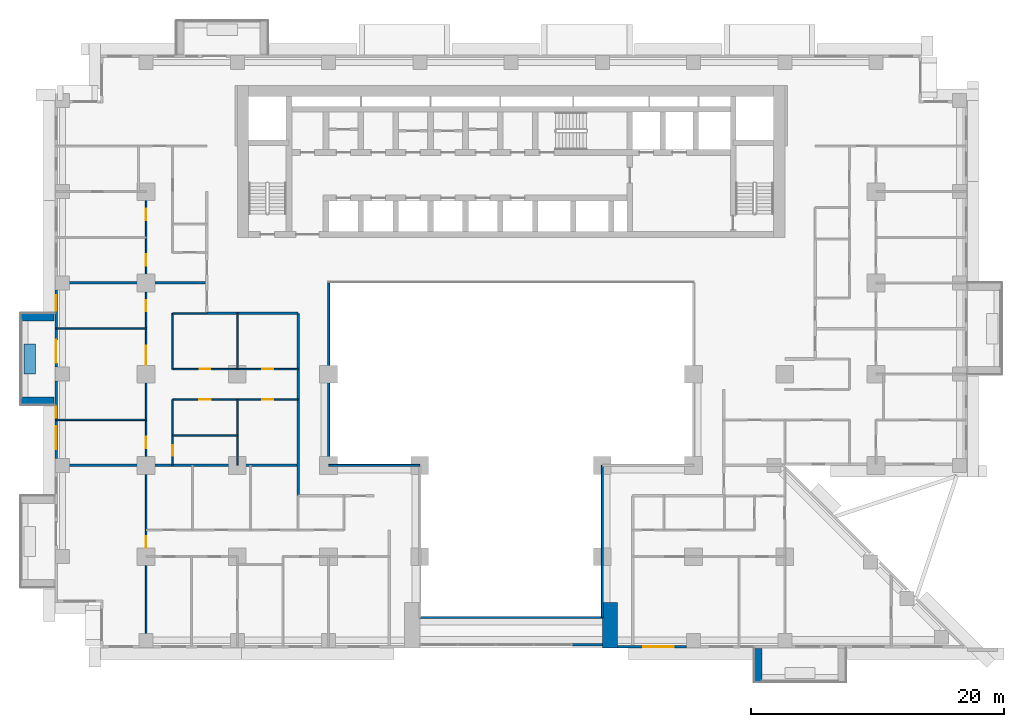
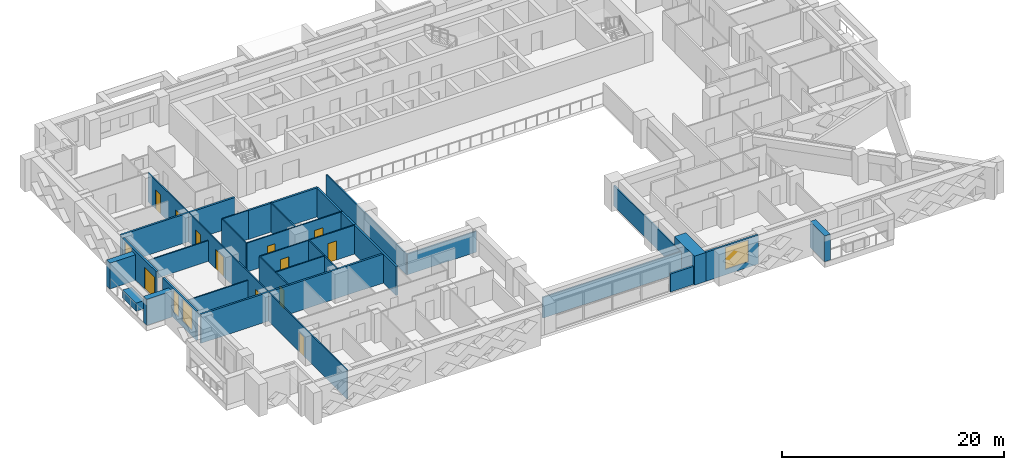
# One storey, part 7 of 16: 28 walls, 12 doors, 4 windows, 16 openings.
"""IFC4 building model written with IfcOpenShell, lengths in metres."""

from ifc_helpers import new_model, si_unit, direction, frame, frame_2d, origin, place, context, subcontext, project, spatial, rectangle, extrude, material, layer, layer_set, type_object, element, fill, save


model = new_model("IFC4")

# Units and contexts
model_context = context("Model", 3, precision=1e-05, world=origin(), true_north=direction((0.0, 1.0)))
body_context = subcontext(model_context, "Body", "Model", "MODEL_VIEW")
ifc_project = project(units=[si_unit("LENGTHUNIT", "METRE"), si_unit("AREAUNIT", "SQUARE_METRE"), si_unit("VOLUMEUNIT", "CUBIC_METRE"), si_unit("PLANEANGLEUNIT", "RADIAN"), si_unit("MASSUNIT", "GRAM", prefix="KILO")], contexts=[model_context])

# Site, building, storey
site_placement = place(None, origin())
site = spatial("IfcSite", under=ifc_project, at=site_placement, CompositionType="ELEMENT")
building_placement = place(site_placement, origin())
building = spatial("IfcBuilding", under=site, at=building_placement, Name="Saffron Iwan Residences", CompositionType="ELEMENT")
storey_placement = place(building_placement, frame((0.0, 0.0, 30.5)))
storey = spatial("IfcBuildingStorey", under=building, at=storey_placement, Name="L06", CompositionType="ELEMENT", Elevation=30.5)

# Walls
ifc_material_1 = material(Name="Fire-rated glazing", Category="glass")
ifc_layer_1 = layer(ifc_material_1, 0.14990234375)
ifc_layer_set_1 = layer_set([ifc_layer_1], Name="Fire-rated glazing")
wall_type_1 = type_object("IfcWallType", Name="Atrium glazed screen 150", PredefinedType="SOLIDWALL", material=ifc_layer_set_1)
wall_1_placement = place(storey_placement, frame((43.199951171875, 36.0, 0.0), z_axis=(0.0, 0.0, 1.0), x_axis=(1.0, 0.0, 0.0)))
element("IfcWall", 1, at=wall_1_placement, inside=storey, type_object=wall_type_1, Name="W-L06-SCREEN-h36-43.2", PredefinedType="SOLIDWALL", context=body_context, shape_type="SweptSolid", body=[
    extrude(rectangle(XDim=14.400146484375, YDim=0.14990234375, at=frame_2d((7.2001953125, 0.0))), origin(), (0.0, 0.0, 1.0), 2.280029296875),
])
wall_2_placement = place(storey_placement, frame((36.0, 48.0, 0.0), z_axis=(0.0, 0.0, 1.0), x_axis=(1.0, 0.0, 0.0)))
element("IfcWall", 2, at=wall_2_placement, inside=storey, type_object=wall_type_1, Name="W-L06-SCREEN-h48-36", PredefinedType="SOLIDWALL", context=body_context, shape_type="SweptSolid", body=[
    extrude(rectangle(XDim=7.199951171875, YDim=0.14990234375, at=frame_2d((3.60009765625, 0.0))), origin(), (0.0, 0.0, 1.0), 2.280029296875),
])
wall_3_placement = place(storey_placement, frame((36.0, 48.0, 0.0), z_axis=(0.0, 0.0, 1.0), x_axis=(0.0, 1.0, 0.0)))
element("IfcWall", 3, at=wall_3_placement, inside=storey, type_object=wall_type_1, Name="W-L06-SCREEN-v36-48", PredefinedType="SOLIDWALL", context=body_context, shape_type="SweptSolid", body=[
    extrude(rectangle(XDim=14.39990234375, YDim=0.14990234375, at=frame_2d((7.199951171875, 0.0))), origin(), (0.0, 0.0, 1.0), 2.280029296875),
])
wall_4_placement = place(storey_placement, frame((57.60009765625, 36.0, 0.0), z_axis=(0.0, 0.0, 1.0), x_axis=(0.0, 1.0, 0.0)))
element("IfcWall", 4, at=wall_4_placement, inside=storey, type_object=wall_type_1, Name="W-L06-SCREEN-v57.6-36", PredefinedType="SOLIDWALL", context=body_context, shape_type="SweptSolid", body=[
    extrude(rectangle(XDim=12.0, YDim=0.14990234375, at=frame_2d((6.0, 0.0))), origin(), (0.0, 0.0, 1.0), 2.280029296875),
])
ifc_material_2 = material(Name="Concrete C50/60 white painted", Category="concrete")
ifc_layer_2 = layer(ifc_material_2, 0.60009765625)
ifc_layer_set_2 = layer_set([ifc_layer_2], Name="Concrete C50/60 white painted")
wall_type_2 = type_object("IfcWallType", Name="BALCONY FIN 600", PredefinedType="SOLIDWALL", material=ifc_layer_set_2)
for number, where, z_axis, x_axis, name in (
    (5, (14.35009765625, 59.699951171875, 0.0), (0.0, 0.0, 1.0), (-1.0, 0.0, 0.0), "Balcony fin L06 F8-1a"),
    (6, (14.35009765625, 53.10009765625, 0.0), (0.0, 0.0, 1.0), (-1.0, 0.0, 0.0), "Balcony fin L06 F8-1b"),
    (7, (69.89990234375, 33.550048828125, 0.0), (0.0, 0.0, 1.0), (0.0, -1.0, 0.0), "Balcony fin L06 11-1a"),
):
    element("IfcWall", number, at=place(storey_placement, frame(where, z_axis=z_axis, x_axis=x_axis)), inside=storey, type_object=wall_type_2, Name=name, PredefinedType="SOLIDWALL", context=body_context, shape_type="SweptSolid", body=[
        extrude(rectangle(XDim=2.650146484375, YDim=0.60009765625, at=frame_2d((1.3251953125, 0.0))), origin(), (0.0, 0.0, 1.0), 2.85009765625),
    ])
ifc_material_3 = material(Name="Concrete C35/45 white painted", Category="concrete")
ifc_layer_3 = layer(ifc_material_3, 0.14990234375)
ifc_layer_set_3 = layer_set([ifc_layer_3], Name="Concrete C35/45 white painted")
wall_type_3 = type_object("IfcWallType", Name="BALCONY PLANTER", PredefinedType="SOLIDWALL", material=ifc_layer_set_3)
wall_5_placement = place(storey_placement, frame((12.425048828125, 57.60009765625, 0.0), z_axis=(0.0, 0.0, 1.0), x_axis=(0.0, -1.0, 0.0)))
element("IfcWall", 8, at=wall_5_placement, inside=storey, type_object=wall_type_3, Name="PLANTER L06 F8-1", PredefinedType="SOLIDWALL", context=body_context, shape_type="SweptSolid", body=[
    extrude(rectangle(XDim=2.400146484375, YDim=0.89990234375, at=frame_2d((1.2001953125, 0.0))), origin(), (0.0, 0.0, 1.0), 0.89990234375),
])

# Wall, openings, door, window
ifc_material_4 = material(Name="Concrete C40/50", Category="concrete")
ifc_layer_4 = layer(ifc_material_4, 0.199951171875)
ifc_layer_set_4 = layer_set([ifc_layer_4], Name="Concrete C40/50")
wall_type_4 = type_object("IfcWallType", Name="EXTERNAL WALL 200", PredefinedType="SOLIDWALL", material=ifc_layer_set_4)
wall_6_placement = place(storey_placement, frame((14.5, 61.85009765625, 0.0), z_axis=(0.0, 0.0, 1.0), x_axis=(0.0, -1.0, 0.0)))
wall_6 = element("IfcWall", 9, at=wall_6_placement, inside=storey, type_object=wall_type_4, Name="External wall L06 F8.2", PredefinedType="SOLIDWALL", context=body_context, shape_type="SweptSolid", body=[
    extrude(rectangle(XDim=6.10009765625, YDim=0.199951171875, at=frame_2d((3.050048828125, 0.0))), origin(), (0.0, 0.0, 1.0), 3.179931640625),
])
opening_1_placement = place(wall_6_placement, frame((3.949951171875, 0.0, 0.0)))
opening_1 = element("IfcOpeningElement", 10, at=opening_1_placement, cuts=wall_6, Name="Opening BD1", PredefinedType="OPENING", context=body_context, shape_type="SweptSolid", body=[
    extrude(rectangle(XDim=1.800048828125, YDim=2.39990234375, at=frame_2d((0.89990234375, 1.199951171875))), frame((0.0, 0.10986328125, 0.0), z_axis=(0.0, -1.0, 0.0), x_axis=(1.0, 0.0, 0.0)), (0.0, 0.0, 1.0), 0.219970703125),
])
opening_2_placement = place(wall_6_placement, frame((0.425048828125, 0.0, 0.60009765625)))
opening_2 = element("IfcOpeningElement", 11, at=opening_2_placement, cuts=wall_6, Name="Opening W3", PredefinedType="OPENING", context=body_context, shape_type="SweptSolid", body=[
    extrude(rectangle(XDim=1.199951171875, YDim=2.39990234375, at=frame_2d((0.60009765625, 1.199951171875))), frame((0.0, 0.10986328125, 0.0), z_axis=(0.0, -1.0, 0.0), x_axis=(1.0, 0.0, 0.0)), (0.0, 0.0, 1.0), 0.219970703125),
])
ifc_material_5 = material(Name="Clear glass, laminated double glazed", Category="glass")
door_type_1 = type_object("IfcDoorType", Name="BALCONY DOOR 1800 x 2400", OperationType="DOUBLE_DOOR_SLIDING", PredefinedType="DOOR", material=ifc_material_5)
door_1_placement = place(opening_1_placement, origin())
door_1 = element("IfcDoor", 12, at=door_1_placement, inside=storey, type_object=door_type_1, Name="Balcony door L06 F8.0", OperationType="DOUBLE_DOOR_SLIDING", OverallHeight=2.39990234375, OverallWidth=1.800048828125, PredefinedType="DOOR", context=body_context, shape_type="SweptSolid", body=[
    extrude(rectangle(XDim=1.800048828125, YDim=2.39990234375, at=frame_2d((0.89990234375, 1.199951171875))), frame((0.0, 0.02490234375, 0.0), z_axis=(0.0, -1.0, 0.0), x_axis=(1.0, 0.0, 0.0)), (0.0, 0.0, 1.0), 0.050048828125),
])
fill(opening_1, door_1)
window_type_1 = type_object("IfcWindowType", Name="WINDOW 1200 x 2400", PartitioningType="SINGLE_PANEL", PredefinedType="WINDOW", material=ifc_material_5)
window_1_placement = place(opening_2_placement, origin())
window_1 = element("IfcWindow", 13, at=window_1_placement, inside=storey, type_object=window_type_1, Name="Window L06 F8.1", OverallHeight=2.39990234375, OverallWidth=1.199951171875, PartitioningType="SINGLE_PANEL", PredefinedType="WINDOW", context=body_context, shape_type="SweptSolid", body=[
    extrude(rectangle(XDim=1.199951171875, YDim=2.39990234375, at=frame_2d((0.60009765625, 1.199951171875))), frame((0.0, 0.030029296875, 0.0), z_axis=(0.0, -1.0, 0.0), x_axis=(1.0, 0.0, 0.0)), (0.0, 0.0, 1.0), 0.06005859375),
])
fill(opening_2, window_1)

# Wall, openings, windows
wall_7_placement = place(storey_placement, frame((14.5, 54.64990234375, 0.0), z_axis=(0.0, 0.0, 1.0), x_axis=(0.0, -1.0, 0.0)))
wall_7 = element("IfcWall", 14, at=wall_7_placement, inside=storey, type_object=wall_type_4, Name="External wall L06 F8.3", PredefinedType="SOLIDWALL", context=body_context, shape_type="SweptSolid", body=[
    extrude(rectangle(XDim=6.099853515625, YDim=0.199951171875, at=frame_2d((3.0498046875, 0.0))), origin(), (0.0, 0.0, 1.0), 3.179931640625),
])
opening_3_placement = place(wall_7_placement, frame((3.574951171875, 0.0, 0.60009765625)))
opening_3 = element("IfcOpeningElement", 15, at=opening_3_placement, cuts=wall_7, Name="Opening W8", PredefinedType="OPENING", context=body_context, shape_type="SweptSolid", body=[
    extrude(rectangle(XDim=1.800048828125, YDim=2.39990234375, at=frame_2d((0.89990234375, 1.199951171875))), frame((0.0, 0.10986328125, 0.0), z_axis=(0.0, -1.0, 0.0), x_axis=(1.0, 0.0, 0.0)), (0.0, 0.0, 1.0), 0.219970703125),
])
opening_4_placement = place(wall_7_placement, frame((2.0, 0.0, 0.60009765625)))
opening_4 = element("IfcOpeningElement", 16, at=opening_4_placement, cuts=wall_7, Name="Opening W10", PredefinedType="OPENING", context=body_context, shape_type="SweptSolid", body=[
    extrude(rectangle(XDim=0.89990234375, YDim=2.39990234375, at=frame_2d((0.449951171875, 1.199951171875))), frame((0.0, 0.10986328125, 0.0), z_axis=(0.0, -1.0, 0.0), x_axis=(1.0, 0.0, 0.0)), (0.0, 0.0, 1.0), 0.219970703125),
])
window_type_2 = type_object("IfcWindowType", Name="WINDOW 1800 x 2400", PartitioningType="DOUBLE_PANEL_VERTICAL", PredefinedType="WINDOW", material=ifc_material_5)
window_2_placement = place(opening_3_placement, origin())
window_2 = element("IfcWindow", 17, at=window_2_placement, inside=storey, type_object=window_type_2, Name="Window L06 F8.0", OverallHeight=2.39990234375, OverallWidth=1.800048828125, PartitioningType="DOUBLE_PANEL_VERTICAL", PredefinedType="WINDOW", context=body_context, shape_type="SweptSolid", body=[
    extrude(rectangle(XDim=1.800048828125, YDim=2.39990234375, at=frame_2d((0.89990234375, 1.199951171875))), frame((0.0, 0.030029296875, 0.0), z_axis=(0.0, -1.0, 0.0), x_axis=(1.0, 0.0, 0.0)), (0.0, 0.0, 1.0), 0.06005859375),
])
fill(opening_3, window_2)
window_type_3 = type_object("IfcWindowType", Name="WINDOW 900 x 2400", PartitioningType="SINGLE_PANEL", PredefinedType="WINDOW", material=ifc_material_5)
window_3_placement = place(opening_4_placement, origin())
window_3 = element("IfcWindow", 18, at=window_3_placement, inside=storey, type_object=window_type_3, Name="Window L06 F8.1", OverallHeight=2.39990234375, OverallWidth=0.89990234375, PartitioningType="SINGLE_PANEL", PredefinedType="WINDOW", context=body_context, shape_type="SweptSolid", body=[
    extrude(rectangle(XDim=0.89990234375, YDim=2.39990234375, at=frame_2d((0.449951171875, 1.199951171875))), frame((0.0, 0.030029296875, 0.0), z_axis=(0.0, -1.0, 0.0), x_axis=(1.0, 0.0, 0.0)), (0.0, 0.0, 1.0), 0.06005859375),
])
fill(opening_4, window_3)

# Wall, opening, window
wall_8_placement = place(storey_placement, frame((58.800048828125, 33.699951171875, 0.0), z_axis=(0.0, 0.0, 1.0), x_axis=(1.0, 0.0, 0.0)))
wall_8 = element("IfcWall", 19, at=wall_8_placement, inside=storey, type_object=wall_type_4, Name="External wall L06 F11.4", PredefinedType="SOLIDWALL", context=body_context, shape_type="SweptSolid", body=[
    extrude(rectangle(XDim=5.449951171875, YDim=0.199951171875, at=frame_2d((2.72509765625, 0.0))), origin(), (0.0, 0.0, 1.0), 3.179931640625),
])
opening_5_placement = place(wall_8_placement, frame((2.02490234375, 0.0, 0.60009765625)))
opening_5 = element("IfcOpeningElement", 20, at=opening_5_placement, cuts=wall_8, Name="Opening W1", PredefinedType="OPENING", context=body_context, shape_type="SweptSolid", body=[
    extrude(rectangle(XDim=2.39990234375, YDim=2.39990234375, at=frame_2d((1.199951171875, 1.199951171875))), frame((0.0, 0.10986328125, 0.0), z_axis=(0.0, -1.0, 0.0), x_axis=(1.0, 0.0, 0.0)), (0.0, 0.0, 1.0), 0.219970703125),
])
window_type_4 = type_object("IfcWindowType", Name="WINDOW 2400 x 2400", PartitioningType="DOUBLE_PANEL_VERTICAL", PredefinedType="WINDOW", material=ifc_material_5)
window_4_placement = place(opening_5_placement, origin())
window_4 = element("IfcWindow", 21, at=window_4_placement, inside=storey, type_object=window_type_4, Name="Window L06 F11.0", OverallHeight=2.39990234375, OverallWidth=2.39990234375, PartitioningType="DOUBLE_PANEL_VERTICAL", PredefinedType="WINDOW", context=body_context, shape_type="SweptSolid", body=[
    extrude(rectangle(XDim=2.39990234375, YDim=2.39990234375, at=frame_2d((1.199951171875, 1.199951171875))), frame((0.0, 0.030029296875, 0.0), z_axis=(0.0, -1.0, 0.0), x_axis=(1.0, 0.0, 0.0)), (0.0, 0.0, 1.0), 0.06005859375),
])
fill(opening_5, window_4)

# Walls
wall_9_placement = place(storey_placement, frame((55.199951171875, 33.85009765625, 0.0), z_axis=(0.0, 0.0, 1.0), x_axis=(1.0, 0.0, 0.0)))
element("IfcWall", 22, at=wall_9_placement, inside=storey, type_object=wall_type_4, Name="External wall infill CWB-L06-0", PredefinedType="SOLIDWALL", context=body_context, shape_type="SweptSolid", body=[
    extrude(rectangle(XDim=2.400146484375, YDim=0.199951171875, at=frame_2d((1.2001953125, 0.0))), origin(), (0.0, 0.0, 1.0), 1.97998046875),
])
ifc_material_6 = material(Name="Fire-rated gypsum board wall")
ifc_layer_5 = layer(ifc_material_6, 0.199951171875)
ifc_layer_set_5 = layer_set([ifc_layer_5], Name="Fire-rated gypsum board wall")
wall_type_5 = type_object("IfcWallType", Name="Flat demising wall 200", PredefinedType="SOLIDWALL", material=ifc_layer_set_5)
wall_10_placement = place(storey_placement, frame((14.52490234375, 48.0, 0.0), z_axis=(0.0, 0.0, 1.0), x_axis=(1.0, 0.0, 0.0)))
element("IfcWall", 23, at=wall_10_placement, inside=storey, type_object=wall_type_5, Name="W-L06-DEMISE-h48-14.525", PredefinedType="SOLIDWALL", context=body_context, shape_type="SweptSolid", body=[
    extrude(rectangle(XDim=19.0751953125, YDim=0.199951171875, at=frame_2d((9.53759765625, 0.0))), origin(), (0.0, 0.0, 1.0), 3.179931640625),
])
wall_11_placement = place(storey_placement, frame((14.52490234375, 62.39990234375, 0.0), z_axis=(0.0, 0.0, 1.0), x_axis=(1.0, 0.0, 0.0)))
element("IfcWall", 24, at=wall_11_placement, inside=storey, type_object=wall_type_5, Name="W-L06-DEMISE-h62.4-14.525", PredefinedType="SOLIDWALL", context=body_context, shape_type="SweptSolid", body=[
    extrude(rectangle(XDim=11.875, YDim=0.199951171875, at=frame_2d((5.9375, 0.0))), origin(), (0.0, 0.0, 1.0), 3.179931640625),
])
ifc_material_7 = material(Name="Gypsum board partition")
ifc_layer_6 = layer(ifc_material_7, 0.1201171875)
ifc_layer_set_6 = layer_set([ifc_layer_6], Name="Gypsum board partition")
wall_type_6 = type_object("IfcWallType", Name="Flat partition 120", PredefinedType="PARTITIONING", material=ifc_layer_set_6)
wall_12_placement = place(storey_placement, frame((23.699951171875, 50.35009765625, 0.0), z_axis=(0.0, 0.0, 1.0), x_axis=(1.0, 0.0, 0.0)))
element("IfcWall", 25, at=wall_12_placement, inside=storey, type_object=wall_type_6, Name="W-L06-PART-h50.35-23.7", PredefinedType="PARTITIONING", context=body_context, shape_type="SweptSolid", body=[
    extrude(rectangle(XDim=5.10009765625, YDim=0.1201171875, at=frame_2d((2.550048828125, 0.0))), origin(), (0.0, 0.0, 1.0), 3.179931640625),
])
wall_13_placement = place(storey_placement, frame((14.52490234375, 51.60009765625, 0.0), z_axis=(0.0, 0.0, 1.0), x_axis=(1.0, 0.0, 0.0)))
element("IfcWall", 26, at=wall_13_placement, inside=storey, type_object=wall_type_6, Name="W-L06-PART-h51.6-14.525", PredefinedType="PARTITIONING", context=body_context, shape_type="SweptSolid", body=[
    extrude(rectangle(XDim=7.0751953125, YDim=0.1201171875, at=frame_2d((3.53759765625, 0.0))), origin(), (0.0, 0.0, 1.0), 2.280029296875),
])

# Wall, openings, doors
wall_14_placement = place(storey_placement, frame((23.699951171875, 53.199951171875, 0.0), z_axis=(0.0, 0.0, 1.0), x_axis=(1.0, 0.0, 0.0)))
wall_14 = element("IfcWall", 27, at=wall_14_placement, inside=storey, type_object=wall_type_6, Name="W-L06-PART-h53.2-23.7", PredefinedType="PARTITIONING", context=body_context, shape_type="SweptSolid", body=[
    extrude(rectangle(XDim=9.900146484375, YDim=0.1201171875, at=frame_2d((4.9501953125, 0.0))), origin(), (0.0, 0.0, 1.0), 3.179931640625),
])
opening_6_placement = place(wall_14_placement, frame((2.10009765625, 0.0, 0.0)))
opening_6 = element("IfcOpeningElement", 28, at=opening_6_placement, cuts=wall_14, Name="Opening FD2", PredefinedType="OPENING", context=body_context, shape_type="SweptSolid", body=[
    extrude(rectangle(XDim=0.89990234375, YDim=2.10009765625, at=frame_2d((0.449951171875, 1.050048828125))), frame((0.0, 0.070068359375, 0.0), z_axis=(0.0, -1.0, 0.0), x_axis=(1.0, 0.0, 0.0)), (0.0, 0.0, 1.0), 0.14013671875),
])
opening_7_placement = place(wall_14_placement, frame((7.050048828125, 0.0, 0.0)))
opening_7 = element("IfcOpeningElement", 29, at=opening_7_placement, cuts=wall_14, Name="Opening FD2", PredefinedType="OPENING", context=body_context, shape_type="SweptSolid", body=[
    extrude(rectangle(XDim=0.89990234375, YDim=2.10009765625, at=frame_2d((0.449951171875, 1.050048828125))), frame((0.0, 0.070068359375, 0.0), z_axis=(0.0, -1.0, 0.0), x_axis=(1.0, 0.0, 0.0)), (0.0, 0.0, 1.0), 0.14013671875),
])
ifc_material_8 = material(Name="Timber door", Category="wood")
door_type_2 = type_object("IfcDoorType", Name="Flat door 900", OperationType="NOTDEFINED", PredefinedType="DOOR", material=ifc_material_8)
door_2_placement = place(opening_6_placement, origin())
door_2 = element("IfcDoor", 30, at=door_2_placement, inside=storey, type_object=door_type_2, Name="Door L06-017", OperationType="SINGLE_SWING_LEFT", OverallHeight=2.10009765625, OverallWidth=0.89990234375, PredefinedType="DOOR", context=body_context, shape_type="SweptSolid", body=[
    extrude(rectangle(XDim=0.89990234375, YDim=2.10009765625, at=frame_2d((0.449951171875, 1.050048828125))), frame((0.0, 0.02490234375, 0.0), z_axis=(0.0, -1.0, 0.0), x_axis=(1.0, 0.0, 0.0)), (0.0, 0.0, 1.0), 0.050048828125),
])
fill(opening_6, door_2)
door_3_placement = place(opening_7_placement, origin())
door_3 = element("IfcDoor", 31, at=door_3_placement, inside=storey, type_object=door_type_2, Name="Door L06-019", OperationType="SINGLE_SWING_RIGHT", OverallHeight=2.10009765625, OverallWidth=0.89990234375, PredefinedType="DOOR", context=body_context, shape_type="SweptSolid", body=[
    extrude(rectangle(XDim=0.89990234375, YDim=2.10009765625, at=frame_2d((0.449951171875, 1.050048828125))), frame((0.0, 0.02490234375, 0.0), z_axis=(0.0, -1.0, 0.0), x_axis=(1.0, 0.0, 0.0)), (0.0, 0.0, 1.0), 0.050048828125),
])
fill(opening_7, door_3)

wall_15_placement = place(storey_placement, frame((23.699951171875, 55.60009765625, 0.0), z_axis=(0.0, 0.0, 1.0), x_axis=(1.0, 0.0, 0.0)))
wall_15 = element("IfcWall", 32, at=wall_15_placement, inside=storey, type_object=wall_type_6, Name="W-L06-PART-h55.6-23.7", PredefinedType="PARTITIONING", context=body_context, shape_type="SweptSolid", body=[
    extrude(rectangle(XDim=9.900146484375, YDim=0.1201171875, at=frame_2d((4.9501953125, 0.0))), origin(), (0.0, 0.0, 1.0), 3.179931640625),
])
opening_8_placement = place(wall_15_placement, frame((2.14990234375, 0.0, 0.0)))
opening_8 = element("IfcOpeningElement", 33, at=opening_8_placement, cuts=wall_15, Name="Opening FD3", PredefinedType="OPENING", context=body_context, shape_type="SweptSolid", body=[
    extrude(rectangle(XDim=0.800048828125, YDim=2.10009765625, at=frame_2d((0.39990234375, 1.050048828125))), frame((0.0, 0.070068359375, 0.0), z_axis=(0.0, -1.0, 0.0), x_axis=(1.0, 0.0, 0.0)), (0.0, 0.0, 1.0), 0.14013671875),
])
opening_9_placement = place(wall_15_placement, frame((7.050048828125, 0.0, 0.0)))
opening_9 = element("IfcOpeningElement", 34, at=opening_9_placement, cuts=wall_15, Name="Opening FD2", PredefinedType="OPENING", context=body_context, shape_type="SweptSolid", body=[
    extrude(rectangle(XDim=0.89990234375, YDim=2.10009765625, at=frame_2d((0.449951171875, 1.050048828125))), frame((0.0, 0.070068359375, 0.0), z_axis=(0.0, -1.0, 0.0), x_axis=(1.0, 0.0, 0.0)), (0.0, 0.0, 1.0), 0.14013671875),
])
door_type_3 = type_object("IfcDoorType", Name="Bathroom door 800", OperationType="NOTDEFINED", PredefinedType="DOOR", material=ifc_material_8)
door_4_placement = place(opening_8_placement, origin())
door_4 = element("IfcDoor", 35, at=door_4_placement, inside=storey, type_object=door_type_3, Name="Door L06-018", OperationType="SINGLE_SWING_LEFT", OverallHeight=2.10009765625, OverallWidth=0.800048828125, PredefinedType="DOOR", context=body_context, shape_type="SweptSolid", body=[
    extrude(rectangle(XDim=0.800048828125, YDim=2.10009765625, at=frame_2d((0.39990234375, 1.050048828125))), frame((0.0, 0.02490234375, 0.0), z_axis=(0.0, -1.0, 0.0), x_axis=(1.0, 0.0, 0.0)), (0.0, 0.0, 1.0), 0.050048828125),
])
fill(opening_8, door_4)
door_5_placement = place(opening_9_placement, origin())
door_5 = element("IfcDoor", 36, at=door_5_placement, inside=storey, type_object=door_type_2, Name="Door L06-020", OperationType="SINGLE_SWING_LEFT", OverallHeight=2.10009765625, OverallWidth=0.89990234375, PredefinedType="DOOR", context=body_context, shape_type="SweptSolid", body=[
    extrude(rectangle(XDim=0.89990234375, YDim=2.10009765625, at=frame_2d((0.449951171875, 1.050048828125))), frame((0.0, 0.02490234375, 0.0), z_axis=(0.0, -1.0, 0.0), x_axis=(1.0, 0.0, 0.0)), (0.0, 0.0, 1.0), 0.050048828125),
])
fill(opening_9, door_5)

# Walls
wall_16_placement = place(storey_placement, frame((14.52490234375, 58.800048828125, 0.0), z_axis=(0.0, 0.0, 1.0), x_axis=(1.0, 0.0, 0.0)))
element("IfcWall", 37, at=wall_16_placement, inside=storey, type_object=wall_type_6, Name="W-L06-PART-h58.8-14.525", PredefinedType="PARTITIONING", context=body_context, shape_type="SweptSolid", body=[
    extrude(rectangle(XDim=7.0751953125, YDim=0.1201171875, at=frame_2d((3.53759765625, 0.0))), origin(), (0.0, 0.0, 1.0), 2.280029296875),
])
wall_17_placement = place(storey_placement, frame((23.699951171875, 60.0, 0.0), z_axis=(0.0, 0.0, 1.0), x_axis=(1.0, 0.0, 0.0)))
element("IfcWall", 38, at=wall_17_placement, inside=storey, type_object=wall_type_6, Name="W-L06-PART-h60-23.7", PredefinedType="PARTITIONING", context=body_context, shape_type="SweptSolid", body=[
    extrude(rectangle(XDim=2.699951171875, YDim=0.1201171875, at=frame_2d((1.35009765625, 0.0))), origin(), (0.0, 0.0, 1.0), 3.179931640625),
])

# Wall, openings, doors
wall_18_placement = place(storey_placement, frame((21.60009765625, 33.72509765625, 0.0), z_axis=(0.0, 0.0, 1.0), x_axis=(0.0, 1.0, 0.0)))
wall_18 = element("IfcWall", 39, at=wall_18_placement, inside=storey, type_object=wall_type_6, Name="W-L06-PART-v21.6-33.725", PredefinedType="PARTITIONING", context=body_context, shape_type="SweptSolid", body=[
    extrude(rectangle(XDim=35.875, YDim=0.1201171875, at=frame_2d((17.9375, 0.0))), origin(), (0.0, 0.0, 1.0), 3.179931640625),
])
opening_10_placement = place(wall_18_placement, frame((7.77490234375, 0.0, 0.0)))
opening_10 = element("IfcOpeningElement", 40, at=opening_10_placement, cuts=wall_18, Name="Opening FD2", PredefinedType="OPENING", context=body_context, shape_type="SweptSolid", body=[
    extrude(rectangle(XDim=0.89990234375, YDim=2.10009765625, at=frame_2d((0.449951171875, 1.050048828125))), frame((0.0, 0.070068359375, 0.0), z_axis=(0.0, -1.0, 0.0), x_axis=(1.0, 0.0, 0.0)), (0.0, 0.0, 1.0), 0.14013671875),
])
opening_11_placement = place(wall_18_placement, frame((15.625, 0.0, 0.0)))
opening_11 = element("IfcOpeningElement", 41, at=opening_11_placement, cuts=wall_18, Name="Opening FD2", PredefinedType="OPENING", context=body_context, shape_type="SweptSolid", body=[
    extrude(rectangle(XDim=0.89990234375, YDim=2.10009765625, at=frame_2d((0.449951171875, 1.050048828125))), frame((0.0, 0.070068359375, 0.0), z_axis=(0.0, -1.0, 0.0), x_axis=(1.0, 0.0, 0.0)), (0.0, 0.0, 1.0), 0.14013671875),
])
opening_12_placement = place(wall_18_placement, frame((22.22509765625, 0.0, 0.0)))
opening_12 = element("IfcOpeningElement", 42, at=opening_12_placement, cuts=wall_18, Name="Opening FD4", PredefinedType="OPENING", context=body_context, shape_type="SweptSolid", body=[
    extrude(rectangle(XDim=1.5, YDim=2.10009765625, at=frame_2d((0.75, 1.050048828125))), frame((0.0, 0.070068359375, 0.0), z_axis=(0.0, -1.0, 0.0), x_axis=(1.0, 0.0, 0.0)), (0.0, 0.0, 1.0), 0.14013671875),
])
opening_13_placement = place(wall_18_placement, frame((26.425048828125, 0.0, 0.0)))
opening_13 = element("IfcOpeningElement", 43, at=opening_13_placement, cuts=wall_18, Name="Opening FD2", PredefinedType="OPENING", context=body_context, shape_type="SweptSolid", body=[
    extrude(rectangle(XDim=0.89990234375, YDim=2.10009765625, at=frame_2d((0.449951171875, 1.050048828125))), frame((0.0, 0.070068359375, 0.0), z_axis=(0.0, -1.0, 0.0), x_axis=(1.0, 0.0, 0.0)), (0.0, 0.0, 1.0), 0.14013671875),
])
opening_14_placement = place(wall_18_placement, frame((30.02490234375, 0.0, 0.0)))
opening_14 = element("IfcOpeningElement", 44, at=opening_14_placement, cuts=wall_18, Name="Opening FD2", PredefinedType="OPENING", context=body_context, shape_type="SweptSolid", body=[
    extrude(rectangle(XDim=0.89990234375, YDim=2.10009765625, at=frame_2d((0.449951171875, 1.050048828125))), frame((0.0, 0.070068359375, 0.0), z_axis=(0.0, -1.0, 0.0), x_axis=(1.0, 0.0, 0.0)), (0.0, 0.0, 1.0), 0.14013671875),
])
opening_15_placement = place(wall_18_placement, frame((33.625, 0.0, 0.0)))
opening_15 = element("IfcOpeningElement", 45, at=opening_15_placement, cuts=wall_18, Name="Opening FD2", PredefinedType="OPENING", context=body_context, shape_type="SweptSolid", body=[
    extrude(rectangle(XDim=0.89990234375, YDim=2.10009765625, at=frame_2d((0.449951171875, 1.050048828125))), frame((0.0, 0.070068359375, 0.0), z_axis=(0.0, -1.0, 0.0), x_axis=(1.0, 0.0, 0.0)), (0.0, 0.0, 1.0), 0.14013671875),
])
door_type_4 = type_object("IfcDoorType", Name="Double door 1500", OperationType="NOTDEFINED", PredefinedType="DOOR", material=ifc_material_8)
door_6_placement = place(opening_12_placement, origin())
door_6 = element("IfcDoor", 46, at=door_6_placement, inside=storey, type_object=door_type_4, Name="Door L06-014", OperationType="SINGLE_SWING_RIGHT", OverallHeight=2.10009765625, OverallWidth=1.5, PredefinedType="DOOR", context=body_context, shape_type="SweptSolid", body=[
    extrude(rectangle(XDim=1.5, YDim=2.10009765625, at=frame_2d((0.75, 1.050048828125))), frame((0.0, 0.02490234375, 0.0), z_axis=(0.0, -1.0, 0.0), x_axis=(1.0, 0.0, 0.0)), (0.0, 0.0, 1.0), 0.050048828125),
])
fill(opening_12, door_6)
door_7_placement = place(opening_10_placement, origin())
door_7 = element("IfcDoor", 47, at=door_7_placement, inside=storey, type_object=door_type_2, Name="Door L06-002", OperationType="SINGLE_SWING_RIGHT", OverallHeight=2.10009765625, OverallWidth=0.89990234375, PredefinedType="DOOR", context=body_context, shape_type="SweptSolid", body=[
    extrude(rectangle(XDim=0.89990234375, YDim=2.10009765625, at=frame_2d((0.449951171875, 1.050048828125))), frame((0.0, 0.02490234375, 0.0), z_axis=(0.0, -1.0, 0.0), x_axis=(1.0, 0.0, 0.0)), (0.0, 0.0, 1.0), 0.050048828125),
])
fill(opening_10, door_7)
door_8_placement = place(opening_11_placement, origin())
door_8 = element("IfcDoor", 48, at=door_8_placement, inside=storey, type_object=door_type_2, Name="Door L06-013", OperationType="SINGLE_SWING_RIGHT", OverallHeight=2.10009765625, OverallWidth=0.89990234375, PredefinedType="DOOR", context=body_context, shape_type="SweptSolid", body=[
    extrude(rectangle(XDim=0.89990234375, YDim=2.10009765625, at=frame_2d((0.449951171875, 1.050048828125))), frame((0.0, 0.02490234375, 0.0), z_axis=(0.0, -1.0, 0.0), x_axis=(1.0, 0.0, 0.0)), (0.0, 0.0, 1.0), 0.050048828125),
])
fill(opening_11, door_8)
door_9_placement = place(opening_13_placement, origin())
door_9 = element("IfcDoor", 49, at=door_9_placement, inside=storey, type_object=door_type_2, Name="Door L06-015", OperationType="SINGLE_SWING_LEFT", OverallHeight=2.10009765625, OverallWidth=0.89990234375, PredefinedType="DOOR", context=body_context, shape_type="SweptSolid", body=[
    extrude(rectangle(XDim=0.89990234375, YDim=2.10009765625, at=frame_2d((0.449951171875, 1.050048828125))), frame((0.0, 0.02490234375, 0.0), z_axis=(0.0, -1.0, 0.0), x_axis=(1.0, 0.0, 0.0)), (0.0, 0.0, 1.0), 0.050048828125),
])
fill(opening_13, door_9)
door_10_placement = place(opening_14_placement, origin())
door_10 = element("IfcDoor", 50, at=door_10_placement, inside=storey, type_object=door_type_2, Name="Door L06-029", OperationType="SINGLE_SWING_LEFT", OverallHeight=2.10009765625, OverallWidth=0.89990234375, PredefinedType="DOOR", context=body_context, shape_type="SweptSolid", body=[
    extrude(rectangle(XDim=0.89990234375, YDim=2.10009765625, at=frame_2d((0.449951171875, 1.050048828125))), frame((0.0, 0.02490234375, 0.0), z_axis=(0.0, -1.0, 0.0), x_axis=(1.0, 0.0, 0.0)), (0.0, 0.0, 1.0), 0.050048828125),
])
fill(opening_14, door_10)
door_11_placement = place(opening_15_placement, origin())
door_11 = element("IfcDoor", 51, at=door_11_placement, inside=storey, type_object=door_type_2, Name="Door L06-030", OperationType="SINGLE_SWING_LEFT", OverallHeight=2.10009765625, OverallWidth=0.89990234375, PredefinedType="DOOR", context=body_context, shape_type="SweptSolid", body=[
    extrude(rectangle(XDim=0.89990234375, YDim=2.10009765625, at=frame_2d((0.449951171875, 1.050048828125))), frame((0.0, 0.02490234375, 0.0), z_axis=(0.0, -1.0, 0.0), x_axis=(1.0, 0.0, 0.0)), (0.0, 0.0, 1.0), 0.050048828125),
])
fill(opening_15, door_11)

# Wall, opening, door
wall_19_placement = place(storey_placement, frame((23.699951171875, 48.0, 0.0), z_axis=(0.0, 0.0, 1.0), x_axis=(0.0, 1.0, 0.0)))
wall_19 = element("IfcWall", 52, at=wall_19_placement, inside=storey, type_object=wall_type_6, Name="W-L06-PART-v23.7-48", PredefinedType="PARTITIONING", context=body_context, shape_type="SweptSolid", body=[
    extrude(rectangle(XDim=5.199951171875, YDim=0.1201171875, at=frame_2d((2.60009765625, 0.0))), origin(), (0.0, 0.0, 1.0), 3.179931640625),
])
opening_16_placement = place(wall_19_placement, frame((0.77490234375, 0.0, 0.0)))
opening_16 = element("IfcOpeningElement", 53, at=opening_16_placement, cuts=wall_19, Name="Opening FD3", PredefinedType="OPENING", context=body_context, shape_type="SweptSolid", body=[
    extrude(rectangle(XDim=0.800048828125, YDim=2.10009765625, at=frame_2d((0.39990234375, 1.050048828125))), frame((0.0, 0.070068359375, 0.0), z_axis=(0.0, -1.0, 0.0), x_axis=(1.0, 0.0, 0.0)), (0.0, 0.0, 1.0), 0.14013671875),
])
door_12_placement = place(opening_16_placement, origin())
door_12 = element("IfcDoor", 54, at=door_12_placement, inside=storey, type_object=door_type_3, Name="Door L06-016", OperationType="SINGLE_SWING_RIGHT", OverallHeight=2.10009765625, OverallWidth=0.800048828125, PredefinedType="DOOR", context=body_context, shape_type="SweptSolid", body=[
    extrude(rectangle(XDim=0.800048828125, YDim=2.10009765625, at=frame_2d((0.39990234375, 1.050048828125))), frame((0.0, 0.02490234375, 0.0), z_axis=(0.0, -1.0, 0.0), x_axis=(1.0, 0.0, 0.0)), (0.0, 0.0, 1.0), 0.050048828125),
])
fill(opening_16, door_12)

# Walls
wall_20_placement = place(storey_placement, frame((23.699951171875, 55.60009765625, 0.0), z_axis=(0.0, 0.0, 1.0), x_axis=(0.0, 1.0, 0.0)))
element("IfcWall", 55, at=wall_20_placement, inside=storey, type_object=wall_type_6, Name="W-L06-PART-v23.7-55.6", PredefinedType="PARTITIONING", context=body_context, shape_type="SweptSolid", body=[
    extrude(rectangle(XDim=4.39990234375, YDim=0.1201171875, at=frame_2d((2.199951171875, 0.0))), origin(), (0.0, 0.0, 1.0), 3.179931640625),
])
wall_21_placement = place(storey_placement, frame((28.800048828125, 48.0, 0.0), z_axis=(0.0, 0.0, 1.0), x_axis=(0.0, 1.0, 0.0)))
element("IfcWall", 56, at=wall_21_placement, inside=storey, type_object=wall_type_6, Name="W-L06-PART-v28.8-48", PredefinedType="PARTITIONING", context=body_context, shape_type="SweptSolid", body=[
    extrude(rectangle(XDim=5.199951171875, YDim=0.1201171875, at=frame_2d((2.60009765625, 0.0))), origin(), (0.0, 0.0, 1.0), 3.179931640625),
])
wall_22_placement = place(storey_placement, frame((28.800048828125, 55.60009765625, 0.0), z_axis=(0.0, 0.0, 1.0), x_axis=(0.0, 1.0, 0.0)))
element("IfcWall", 57, at=wall_22_placement, inside=storey, type_object=wall_type_6, Name="W-L06-PART-v28.8-55.6", PredefinedType="PARTITIONING", context=body_context, shape_type="SweptSolid", body=[
    extrude(rectangle(XDim=4.39990234375, YDim=0.1201171875, at=frame_2d((2.199951171875, 0.0))), origin(), (0.0, 0.0, 1.0), 3.179931640625),
])
ifc_layer_7 = layer(ifc_material_6, 0.199951171875)
ifc_layer_set_7 = layer_set([ifc_layer_7], Name="Fire-rated gypsum board wall")
wall_type_7 = type_object("IfcWallType", Name="Gallery wall 200", PredefinedType="SOLIDWALL", material=ifc_layer_set_7)
wall_23_placement = place(storey_placement, frame((26.39990234375, 60.0, 0.0), z_axis=(0.0, 0.0, 1.0), x_axis=(1.0, 0.0, 0.0)))
element("IfcWall", 58, at=wall_23_placement, inside=storey, type_object=wall_type_7, Name="W-L06-CORR-h60-26.4", PredefinedType="SOLIDWALL", context=body_context, shape_type="SweptSolid", body=[
    extrude(rectangle(XDim=7.2001953125, YDim=0.199951171875, at=frame_2d((3.60009765625, 0.0))), origin(), (0.0, 0.0, 1.0), 3.179931640625),
])
wall_24_placement = place(storey_placement, frame((33.60009765625, 45.60009765625, 0.0), z_axis=(0.0, 0.0, 1.0), x_axis=(0.0, 1.0, 0.0)))
element("IfcWall", 59, at=wall_24_placement, inside=storey, type_object=wall_type_7, Name="W-L06-CORR-v33.6-45.6", PredefinedType="SOLIDWALL", context=body_context, shape_type="SweptSolid", body=[
    extrude(rectangle(XDim=14.39990234375, YDim=0.199951171875, at=frame_2d((7.199951171875, 0.0))), origin(), (0.0, 0.0, 1.0), 3.179931640625),
])
ifc_material_9 = material(Name="Concrete C60/75", Category="concrete")
ifc_layer_8 = layer(ifc_material_9, 1.199951171875)
ifc_layer_set_8 = layer_set([ifc_layer_8], Name="Concrete C60/75")
wall_type_8 = type_object("IfcWallType", Name="WALL IWAN PIER 1200 C60/75 3180 HIGH", PredefinedType="SHEAR", material=ifc_layer_set_8)
wall_25_placement = place(storey_placement, frame((58.199951171875, 33.60009765625, 0.0), z_axis=(0.0, 0.0, 1.0), x_axis=(0.0, 1.0, 0.0)))
element("IfcWall", 60, at=wall_25_placement, inside=storey, type_object=wall_type_8, Name="IWAN PIER", PredefinedType="SHEAR", context=body_context, shape_type="SweptSolid", body=[
    extrude(rectangle(XDim=3.599853515625, YDim=1.199951171875, at=frame_2d((1.7998046875, 0.0))), origin(), (0.0, 0.0, 1.0), 3.179931640625),
])

save(model, "model.ifc")
